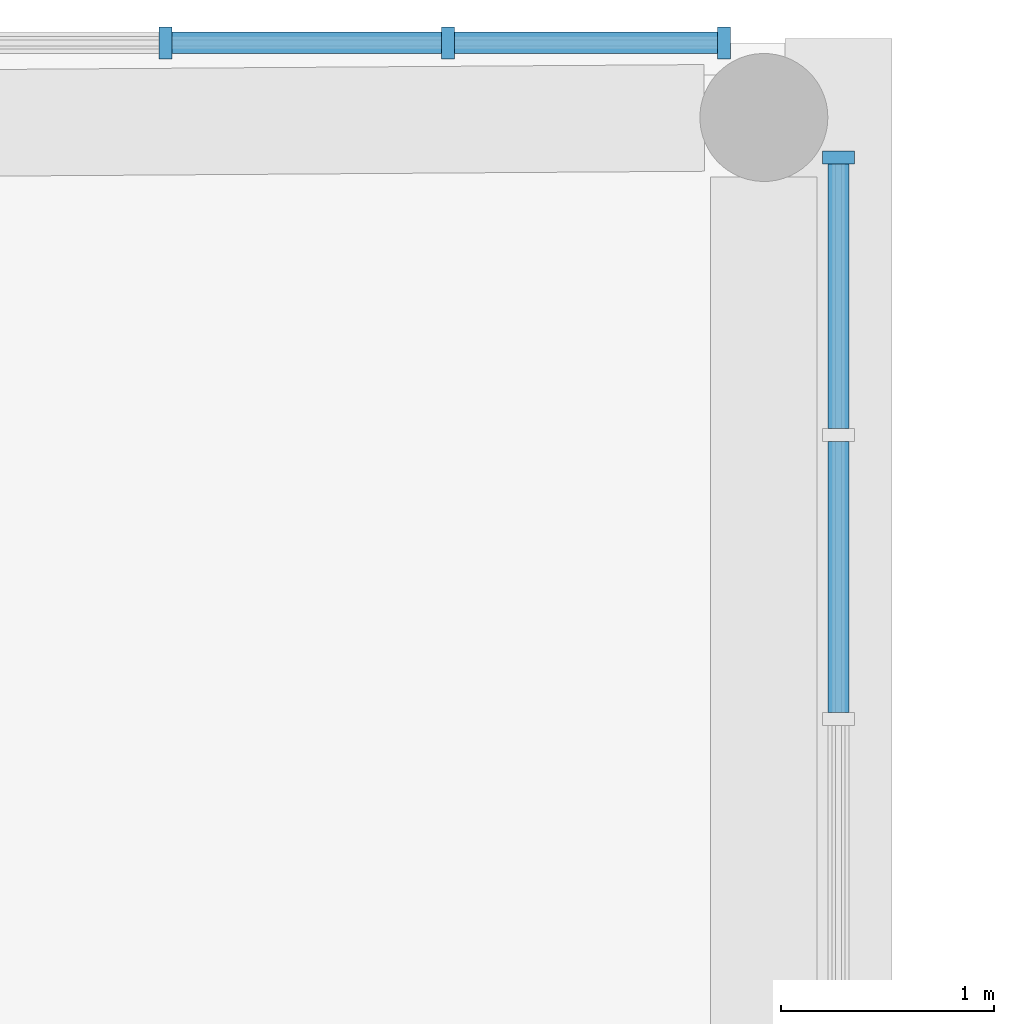
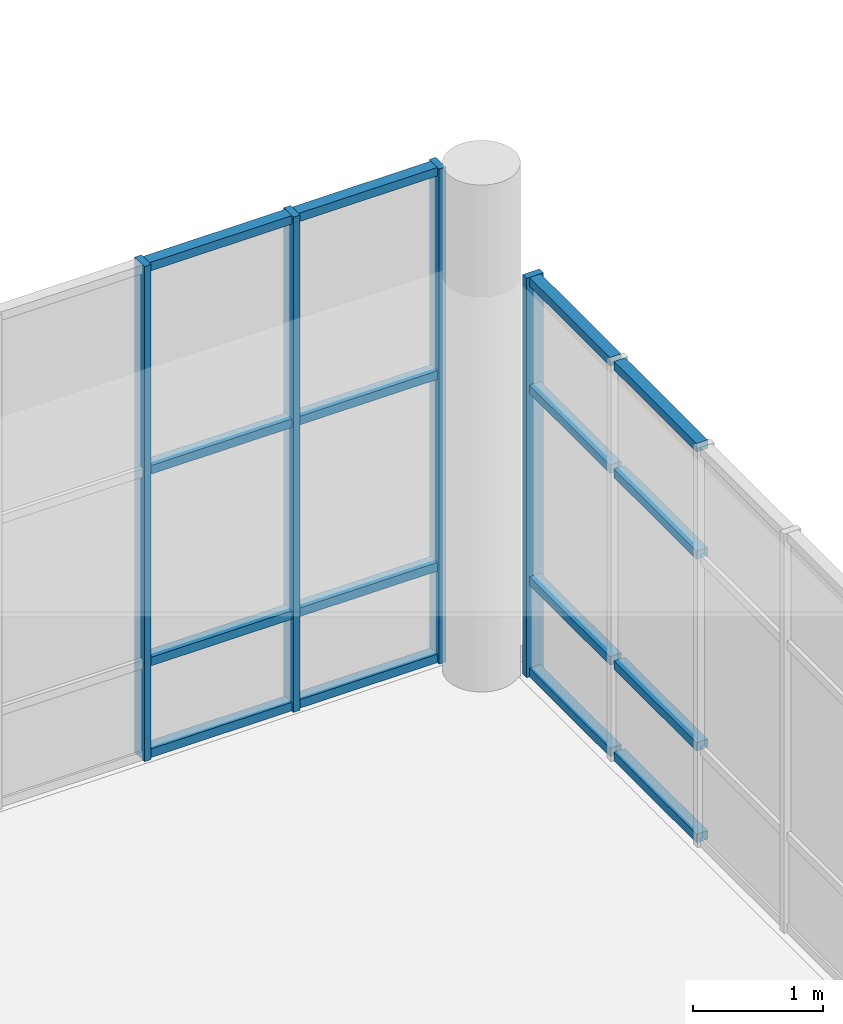
# One storey, part 40 of 119: 20 members, 2 elements without a shape of their own.
"""IFC4 building model written with IfcOpenShell, lengths in metres."""

from ifc_helpers import new_model, si_unit, direction, frame, origin, origin_2d, place, context, subcontext, project, spatial, rectangle, extrude, material, layer, layer_set, material_profile, profile_set, type_object, element, aggregate, save


model = new_model("IFC4")

# Units and contexts
model_context = context("Model", 3, precision=1e-05, world=origin(), true_north=direction((0.0, 1.0)))
body_context = subcontext(model_context, "Body", "Model", "MODEL_VIEW")
ifc_project = project(units=[si_unit("LENGTHUNIT", "METRE"), si_unit("AREAUNIT", "SQUARE_METRE"), si_unit("VOLUMEUNIT", "CUBIC_METRE"), si_unit("PLANEANGLEUNIT", "RADIAN"), si_unit("MASSUNIT", "GRAM", prefix="KILO")], contexts=[model_context])

# Site, building, storey
site_placement = place(None, origin())
site = spatial("IfcSite", under=ifc_project, at=site_placement, CompositionType="ELEMENT")
building_placement = place(site_placement, origin())
building = spatial("IfcBuilding", under=site, at=building_placement, Name="Larchfold Concert Hall", CompositionType="ELEMENT")
storey_placement = place(building_placement, frame((0.0, 0.0, 4.800048828125)))
storey = spatial("IfcBuildingStorey", under=building, at=storey_placement, Name="L01", CompositionType="ELEMENT", Elevation=4.800048828125)

# Curtain wall, member
ifc_material_1 = material(Name="Anodised graphite aluminium curtain wall", Category="aluminium")
ifc_layer = layer(ifc_material_1, 0.14990234375)
ifc_layer_set = layer_set([ifc_layer], Name="Anodised graphite aluminium curtain wall")
curtain_wall_type = type_object("IfcCurtainWallType", Name="Curtain wall WG", PredefinedType="NOTDEFINED", material=ifc_layer_set)
curtain_wall_1_placement = place(storey_placement, origin())
curtain_wall_1 = element("IfcCurtainWall", 1, at=curtain_wall_1_placement, inside=storey, type_object=curtain_wall_type, Name="Curtain wall CW0171", PredefinedType="NOTDEFINED")
ifc_material_2 = material(Name="Anodised graphite aluminium mullion", Category="aluminium")
ifc_material_profile_1 = material_profile(ifc_material_2, rectangle(XDim=0.14990234375, YDim=0.06005859375, at=origin_2d()))
ifc_profile_set_1 = profile_set([ifc_material_profile_1], Name="Anodised graphite aluminium mullion")
member_type_1 = type_object("IfcMemberType", Name="Aluminium mullion 60x150", PredefinedType="MULLION", material=ifc_profile_set_1)
member_1_placement = place(storey_placement, frame((76.199951171875, 131.4619140625, 0.0), z_axis=(0.0, 0.0, 1.0), x_axis=(-1.0, 0.0, 0.0)))
member_1 = element("IfcMember", 2, at=member_1_placement, type_object=member_type_1, Name="CW0171 mullion 7", PredefinedType="MULLION", context=body_context, shape_type="SweptSolid", body=[
    extrude(rectangle(XDim=0.14990234375, YDim=0.06005859375, at=origin_2d()), origin(), (0.0, 0.0, 1.0), 3.75),
])

# Curtain wall, members
curtain_wall_2_placement = place(storey_placement, origin())
curtain_wall_2 = element("IfcCurtainWall", 3, at=curtain_wall_2_placement, inside=storey, type_object=curtain_wall_type, Name="Curtain wall CW0172", PredefinedType="NOTDEFINED")
member_2_placement = place(storey_placement, frame((75.66259765625, 132.0, 0.0), z_axis=(0.0, 0.0, 1.0), x_axis=(0.0, -1.0, 0.0)))
member_2 = element("IfcMember", 4, at=member_2_placement, type_object=member_type_1, Name="CW0172 mullion 1", PredefinedType="MULLION", context=body_context, shape_type="SweptSolid", body=[
    extrude(rectangle(XDim=0.14990234375, YDim=0.06005859375, at=origin_2d()), origin(), (0.0, 0.0, 1.0), 4.64990234375),
])
member_3_placement = place(storey_placement, frame((74.368896484375, 132.0, 0.0), z_axis=(0.0, 0.0, 1.0), x_axis=(0.0, -1.0, 0.0)))
member_3 = element("IfcMember", 5, at=member_3_placement, type_object=member_type_1, Name="CW0172 mullion 2", PredefinedType="MULLION", context=body_context, shape_type="SweptSolid", body=[
    extrude(rectangle(XDim=0.14990234375, YDim=0.06005859375, at=origin_2d()), origin(), (0.0, 0.0, 1.0), 4.64990234375),
])
member_4_placement = place(storey_placement, frame((73.045166015625, 132.0, 0.0), z_axis=(0.0, 0.0, 1.0), x_axis=(0.0, -1.0, 0.0)))
member_4 = element("IfcMember", 6, at=member_4_placement, type_object=member_type_1, Name="CW0172 mullion 3", PredefinedType="MULLION", context=body_context, shape_type="SweptSolid", body=[
    extrude(rectangle(XDim=0.14990234375, YDim=0.06005859375, at=origin_2d()), origin(), (0.0, 0.0, 1.0), 4.64990234375),
])

# Member
ifc_material_3 = material(Name="Anodised graphite aluminium transom", Category="aluminium")
ifc_material_profile_2 = material_profile(ifc_material_3, rectangle(XDim=0.10009765625, YDim=0.080078125, at=origin_2d()))
ifc_profile_set_2 = profile_set([ifc_material_profile_2], Name="Anodised graphite aluminium transom")
member_type_2 = type_object("IfcMemberType", Name="Aluminium transom 80x100", PredefinedType="USERDEFINED", material=ifc_profile_set_2)
member_5_placement = place(storey_placement, frame((76.199951171875, 128.860595703125, 0.0400390625), z_axis=(0.0, 1.0, 0.0), x_axis=(-1.0, 0.0, 0.0)))
member_5 = element("IfcMember", 7, at=member_5_placement, type_object=member_type_2, Name="CW0171 transom 5.1", ObjectType="TRANSOM", PredefinedType="USERDEFINED", context=body_context, shape_type="SweptSolid", body=[
    extrude(rectangle(XDim=0.10009765625, YDim=0.080078125, at=origin_2d()), origin(), (0.0, 0.0, 1.0), 1.270751953125),
])

member_6_placement = place(storey_placement, frame((76.199951171875, 128.860595703125, 0.89990234375), z_axis=(0.0, 1.0, 0.0), x_axis=(-1.0, 0.0, 0.0)))
member_6 = element("IfcMember", 8, at=member_6_placement, type_object=member_type_2, Name="CW0171 transom 5.2", ObjectType="TRANSOM", PredefinedType="USERDEFINED", context=body_context, shape_type="SweptSolid", body=[
    extrude(rectangle(XDim=0.10009765625, YDim=0.080078125, at=origin_2d()), origin(), (0.0, 0.0, 1.0), 1.270751953125),
])

member_7_placement = place(storey_placement, frame((76.199951171875, 128.860595703125, 2.699951171875), z_axis=(0.0, 1.0, 0.0), x_axis=(-1.0, 0.0, 0.0)))
member_7 = element("IfcMember", 9, at=member_7_placement, type_object=member_type_2, Name="CW0171 transom 5.3", ObjectType="TRANSOM", PredefinedType="USERDEFINED", context=body_context, shape_type="SweptSolid", body=[
    extrude(rectangle(XDim=0.10009765625, YDim=0.080078125, at=origin_2d()), origin(), (0.0, 0.0, 1.0), 1.270751953125),
])

member_8_placement = place(storey_placement, frame((76.199951171875, 128.860595703125, 3.7099609375), z_axis=(0.0, 1.0, 0.0), x_axis=(-1.0, 0.0, 0.0)))
member_8 = element("IfcMember", 10, at=member_8_placement, type_object=member_type_2, Name="CW0171 transom 5.4", ObjectType="TRANSOM", PredefinedType="USERDEFINED", context=body_context, shape_type="SweptSolid", body=[
    extrude(rectangle(XDim=0.10009765625, YDim=0.080078125, at=origin_2d()), origin(), (0.0, 0.0, 1.0), 1.270751953125),
])

member_9_placement = place(storey_placement, frame((76.199951171875, 130.19140625, 0.0400390625), z_axis=(0.0, 1.0, 0.0), x_axis=(-1.0, 0.0, 0.0)))
member_9 = element("IfcMember", 11, at=member_9_placement, type_object=member_type_2, Name="CW0171 transom 6.1", ObjectType="TRANSOM", PredefinedType="USERDEFINED", context=body_context, shape_type="SweptSolid", body=[
    extrude(rectangle(XDim=0.10009765625, YDim=0.080078125, at=origin_2d()), origin(), (0.0, 0.0, 1.0), 1.240478515625),
])

member_10_placement = place(storey_placement, frame((76.199951171875, 130.19140625, 0.89990234375), z_axis=(0.0, 1.0, 0.0), x_axis=(-1.0, 0.0, 0.0)))
member_10 = element("IfcMember", 12, at=member_10_placement, type_object=member_type_2, Name="CW0171 transom 6.2", ObjectType="TRANSOM", PredefinedType="USERDEFINED", context=body_context, shape_type="SweptSolid", body=[
    extrude(rectangle(XDim=0.10009765625, YDim=0.080078125, at=origin_2d()), origin(), (0.0, 0.0, 1.0), 1.240478515625),
])

member_11_placement = place(storey_placement, frame((76.199951171875, 130.19140625, 2.699951171875), z_axis=(0.0, 1.0, 0.0), x_axis=(-1.0, 0.0, 0.0)))
member_11 = element("IfcMember", 13, at=member_11_placement, type_object=member_type_2, Name="CW0171 transom 6.3", ObjectType="TRANSOM", PredefinedType="USERDEFINED", context=body_context, shape_type="SweptSolid", body=[
    extrude(rectangle(XDim=0.10009765625, YDim=0.080078125, at=origin_2d()), origin(), (0.0, 0.0, 1.0), 1.240478515625),
])

member_12_placement = place(storey_placement, frame((76.199951171875, 130.19140625, 3.7099609375), z_axis=(0.0, 1.0, 0.0), x_axis=(-1.0, 0.0, 0.0)))
member_12 = element("IfcMember", 14, at=member_12_placement, type_object=member_type_2, Name="CW0171 transom 6.4", ObjectType="TRANSOM", PredefinedType="USERDEFINED", context=body_context, shape_type="SweptSolid", body=[
    extrude(rectangle(XDim=0.10009765625, YDim=0.080078125, at=origin_2d()), origin(), (0.0, 0.0, 1.0), 1.240478515625),
])

aggregate(curtain_wall_1, [member_1, member_5, member_6, member_7, member_8, member_9, member_10, member_11, member_12])

member_13_placement = place(storey_placement, frame((75.632568359375, 132.0, 0.0400390625), z_axis=(-1.0, 0.0, 0.0), x_axis=(0.0, -1.0, 0.0)))
member_13 = element("IfcMember", 15, at=member_13_placement, type_object=member_type_2, Name="CW0172 transom 1.1", ObjectType="TRANSOM", PredefinedType="USERDEFINED", context=body_context, shape_type="SweptSolid", body=[
    extrude(rectangle(XDim=0.10009765625, YDim=0.080078125, at=origin_2d()), origin(), (0.0, 0.0, 1.0), 1.233642578125),
])

member_14_placement = place(storey_placement, frame((75.632568359375, 132.0, 0.89990234375), z_axis=(-1.0, 0.0, 0.0), x_axis=(0.0, -1.0, 0.0)))
member_14 = element("IfcMember", 16, at=member_14_placement, type_object=member_type_2, Name="CW0172 transom 1.2", ObjectType="TRANSOM", PredefinedType="USERDEFINED", context=body_context, shape_type="SweptSolid", body=[
    extrude(rectangle(XDim=0.10009765625, YDim=0.080078125, at=origin_2d()), origin(), (0.0, 0.0, 1.0), 1.233642578125),
])

member_15_placement = place(storey_placement, frame((75.632568359375, 132.0, 2.699951171875), z_axis=(-1.0, 0.0, 0.0), x_axis=(0.0, -1.0, 0.0)))
member_15 = element("IfcMember", 17, at=member_15_placement, type_object=member_type_2, Name="CW0172 transom 1.3", ObjectType="TRANSOM", PredefinedType="USERDEFINED", context=body_context, shape_type="SweptSolid", body=[
    extrude(rectangle(XDim=0.10009765625, YDim=0.080078125, at=origin_2d()), origin(), (0.0, 0.0, 1.0), 1.233642578125),
])

member_16_placement = place(storey_placement, frame((75.632568359375, 132.0, 4.60986328125), z_axis=(-1.0, 0.0, 0.0), x_axis=(0.0, -1.0, 0.0)))
member_16 = element("IfcMember", 18, at=member_16_placement, type_object=member_type_2, Name="CW0172 transom 1.4", ObjectType="TRANSOM", PredefinedType="USERDEFINED", context=body_context, shape_type="SweptSolid", body=[
    extrude(rectangle(XDim=0.10009765625, YDim=0.080078125, at=origin_2d()), origin(), (0.0, 0.0, 1.0), 1.233642578125),
])

member_17_placement = place(storey_placement, frame((74.3388671875, 132.0, 0.0400390625), z_axis=(-1.0, 0.0, 0.0), x_axis=(0.0, -1.0, 0.0)))
member_17 = element("IfcMember", 19, at=member_17_placement, type_object=member_type_2, Name="CW0172 transom 2.1", ObjectType="TRANSOM", PredefinedType="USERDEFINED", context=body_context, shape_type="SweptSolid", body=[
    extrude(rectangle(XDim=0.10009765625, YDim=0.080078125, at=origin_2d()), origin(), (0.0, 0.0, 1.0), 1.263671875),
])

member_18_placement = place(storey_placement, frame((74.3388671875, 132.0, 0.89990234375), z_axis=(-1.0, 0.0, 0.0), x_axis=(0.0, -1.0, 0.0)))
member_18 = element("IfcMember", 20, at=member_18_placement, type_object=member_type_2, Name="CW0172 transom 2.2", ObjectType="TRANSOM", PredefinedType="USERDEFINED", context=body_context, shape_type="SweptSolid", body=[
    extrude(rectangle(XDim=0.10009765625, YDim=0.080078125, at=origin_2d()), origin(), (0.0, 0.0, 1.0), 1.263671875),
])

member_19_placement = place(storey_placement, frame((74.3388671875, 132.0, 2.699951171875), z_axis=(-1.0, 0.0, 0.0), x_axis=(0.0, -1.0, 0.0)))
member_19 = element("IfcMember", 21, at=member_19_placement, type_object=member_type_2, Name="CW0172 transom 2.3", ObjectType="TRANSOM", PredefinedType="USERDEFINED", context=body_context, shape_type="SweptSolid", body=[
    extrude(rectangle(XDim=0.10009765625, YDim=0.080078125, at=origin_2d()), origin(), (0.0, 0.0, 1.0), 1.263671875),
])

member_20_placement = place(storey_placement, frame((74.3388671875, 132.0, 4.60986328125), z_axis=(-1.0, 0.0, 0.0), x_axis=(0.0, -1.0, 0.0)))
member_20 = element("IfcMember", 22, at=member_20_placement, type_object=member_type_2, Name="CW0172 transom 2.4", ObjectType="TRANSOM", PredefinedType="USERDEFINED", context=body_context, shape_type="SweptSolid", body=[
    extrude(rectangle(XDim=0.10009765625, YDim=0.080078125, at=origin_2d()), origin(), (0.0, 0.0, 1.0), 1.263671875),
])

aggregate(curtain_wall_2, [member_2, member_3, member_4, member_13, member_14, member_15, member_16, member_17, member_18, member_19, member_20])

save(model, "model.ifc")
